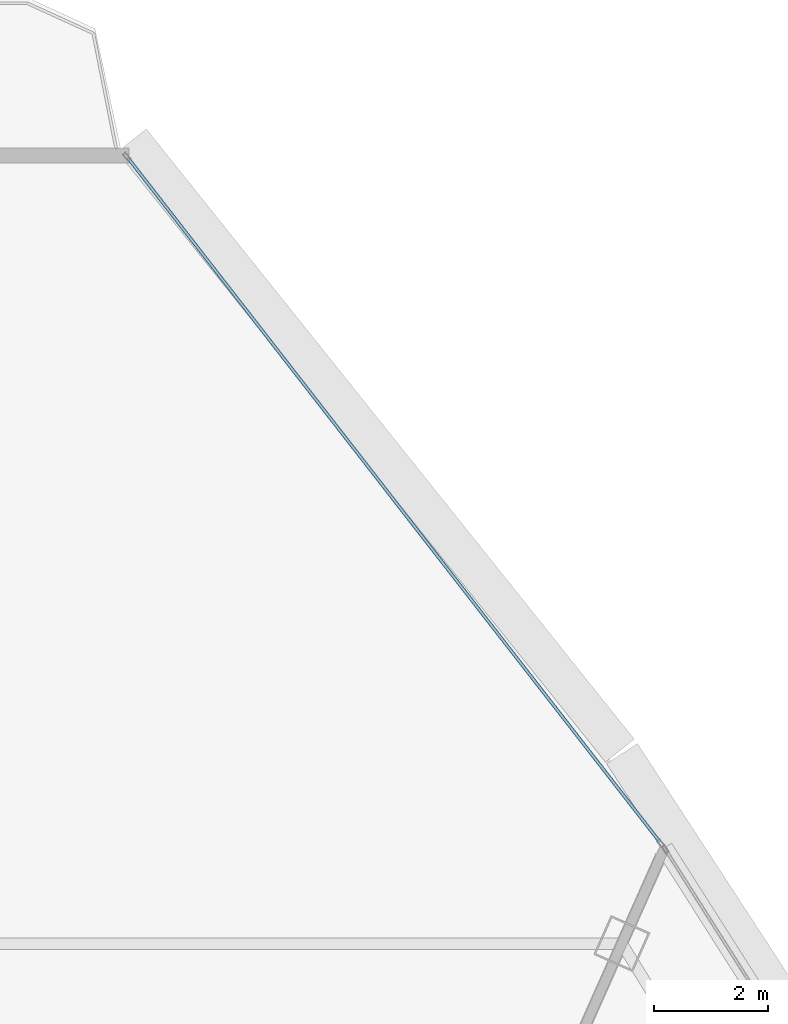
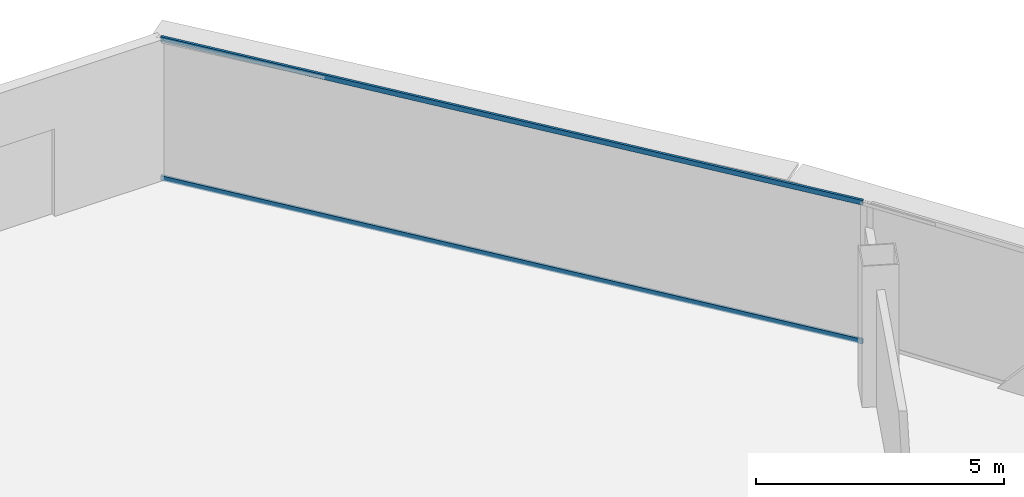
# One storey, part 25 of 33: 2 members, 1 element without a shape of its own.
"""IFC4 building model written with IfcOpenShell, lengths in metres."""

from ifc_helpers import new_model, si_unit, direction, frame, origin, origin_2d, place, context, subcontext, project, spatial, hollow_rectangle, extrude, source, transform, mapped, material, layer, layer_set, material_profile, profile_set, type_object, element, aggregate, save


model = new_model("IFC4")

# Units and contexts
model_context = context("Model", 3, precision=1e-05, world=origin(), true_north=direction((0.0, 1.0)))
body_context = subcontext(model_context, "Body", "Model", "MODEL_VIEW")
ifc_project = project(units=[si_unit("LENGTHUNIT", "METRE"), si_unit("AREAUNIT", "SQUARE_METRE"), si_unit("VOLUMEUNIT", "CUBIC_METRE"), si_unit("PLANEANGLEUNIT", "RADIAN"), si_unit("MASSUNIT", "GRAM", prefix="KILO"), si_unit("THERMODYNAMICTEMPERATUREUNIT", "KELVIN"), si_unit("POWERUNIT", "WATT")], contexts=[model_context])

# Site, building, storey
site_placement = place(None, origin())
site = spatial("IfcSite", under=ifc_project, at=site_placement, CompositionType="ELEMENT")
building_placement = place(site_placement, origin())
building = spatial("IfcBuilding", under=site, at=building_placement, Name="Yunzhuo Pagoda Commons", CompositionType="ELEMENT")
storey_placement = place(building_placement, frame((0.0, 0.0, 307.39990234375)))
storey = spatial("IfcBuildingStorey", under=building, at=storey_placement, Name="L77", CompositionType="ELEMENT", Elevation=307.39990234375)

# Curtain wall, members
ifc_material = material(Name="Anodized aluminium 6063-T6", Category="aluminium")
ifc_layer = layer(ifc_material, 0.139892578125)
ifc_layer_set = layer_set([ifc_layer], Name="Anodized aluminium 6063-T6")
curtain_wall_type = type_object("IfcCurtainWallType", Name="CW-HI High-Zone Ribbon Curtain Wall", PredefinedType="NOTDEFINED", material=ifc_layer_set)
curtain_wall_placement = place(storey_placement, origin())
curtain_wall = element("IfcCurtainWall", 1, at=curtain_wall_placement, inside=storey, type_object=curtain_wall_type, Name="L77 curtain wall CW-L77-F2B5", PredefinedType="NOTDEFINED")
ifc_material_profile = material_profile(ifc_material, hollow_rectangle(XDim=0.054931640625, YDim=0.1201171875, WallThickness=0.00341796875, at=origin_2d()), Name="Anodized aluminium 6063-T6")
ifc_profile_set = profile_set([ifc_material_profile], Name="Anodized aluminium 6063-T6")
member_type = type_object("IfcMemberType", Name="CW-HI-T Transom RHS 120x55x3.5", PredefinedType="USERDEFINED", material=ifc_profile_set)
shared_shape = source(origin(), body_context, "Body", "SweptSolid", [
    extrude(hollow_rectangle(XDim=0.054931640625, YDim=0.1201171875, WallThickness=0.00341796875, at=origin_2d()), origin(), (0.0, 0.0, 1.0), 15.25146484375),
])
member_1_placement = place(storey_placement, frame((60.78173828125, 62.70068359375, 0.027587890625), z_axis=(-0.613841977514, 0.789428924376, 0.0), x_axis=(-0.789428924376, -0.613841977514, 0.0)))
member_1 = element("IfcMember", 2, at=member_1_placement, type_object=member_type, Name="CW transom 1.1", ObjectType="TRANSOM", PredefinedType="USERDEFINED", context=body_context, shape_type="MappedRepresentation", body=[
    mapped(shared_shape, transform((0.0, 0.0, 0.0), scale=1.0)),
])
member_2_placement = place(storey_placement, frame((60.78173828125, 62.70068359375, 3.442626953125), z_axis=(-0.613841977514, 0.789428924376, 0.0), x_axis=(-0.789428924376, -0.613841977514, 0.0)))
member_2 = element("IfcMember", 3, at=member_2_placement, type_object=member_type, Name="CW transom 1.2", ObjectType="TRANSOM", PredefinedType="USERDEFINED", context=body_context, shape_type="MappedRepresentation", body=[
    mapped(shared_shape, transform((0.0, 0.0, 0.0), scale=1.0)),
])
aggregate(curtain_wall, [member_1, member_2])

save(model, "model.ifc")
